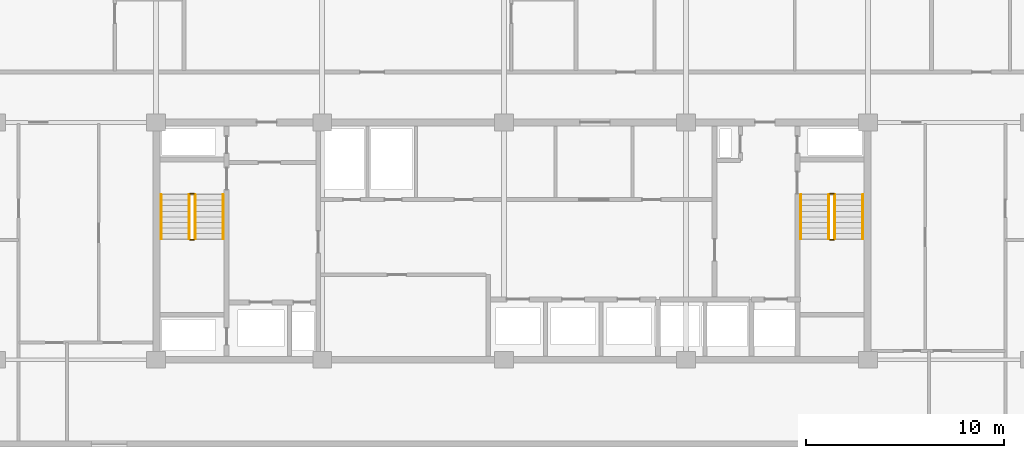
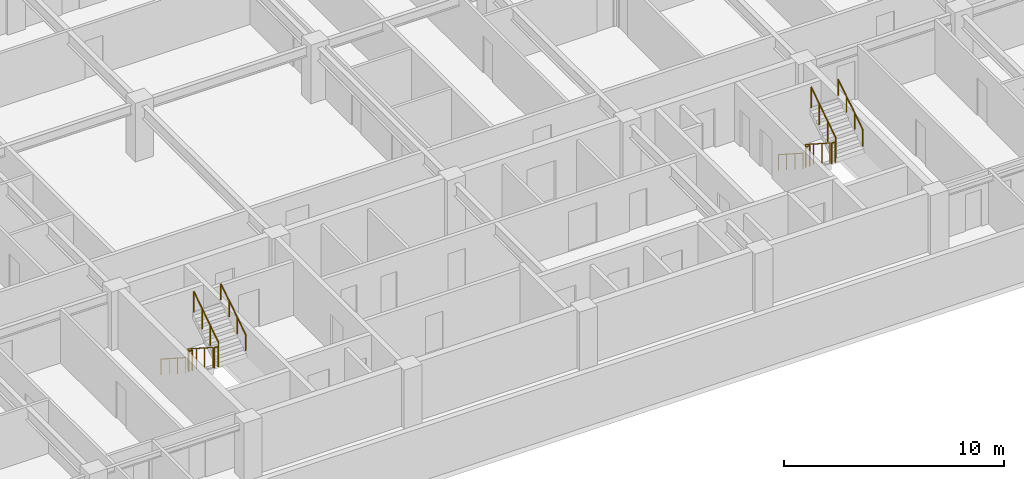
# One storey, part 20 of 21: 12 railings.
"""IFC4 building model written with IfcOpenShell, lengths in metres."""

from ifc_helpers import new_model, si_unit, direction, frame, origin, origin_2d, place, context, subcontext, project, spatial, circle, extrude, material, type_object, element, save


model = new_model("IFC4")

# Units and contexts
model_context = context("Model", 3, precision=1e-05, world=origin(), true_north=direction((0.0, 1.0)))
body_context = subcontext(model_context, "Body", "Model", "MODEL_VIEW")
ifc_project = project(units=[si_unit("LENGTHUNIT", "METRE"), si_unit("AREAUNIT", "SQUARE_METRE"), si_unit("VOLUMEUNIT", "CUBIC_METRE"), si_unit("PLANEANGLEUNIT", "RADIAN"), si_unit("MASSUNIT", "GRAM", prefix="KILO")], contexts=[model_context])

# Site, building, storey
site_placement = place(None, origin())
site = spatial("IfcSite", under=ifc_project, at=site_placement, CompositionType="ELEMENT")
building_placement = place(site_placement, origin())
building = spatial("IfcBuilding", under=site, at=building_placement, Name="Korimba Cascade Residences", CompositionType="ELEMENT")
storey_placement = place(building_placement, frame((0.0, 0.0, 116.550048828125)))
storey = spatial("IfcBuildingStorey", under=building, at=storey_placement, Name="L33", CompositionType="ELEMENT", Elevation=116.550048828125)

# Railings
ifc_material_1 = material(Name="Painted Steel Stairwell Guardrail", Category="steel")
railing_type_1 = type_object("IfcRailingType", Name="RLG-ST-GD1150", PredefinedType="GUARDRAIL", material=ifc_material_1)
railing_1_placement = place(storey_placement, frame((77.77001953125, 63.550048828125, 0.180419921875)))
element("IfcRailing", 1, at=railing_1_placement, inside=storey, type_object=railing_type_1, Name="L33 ST-W1 stair guard 1", PredefinedType="GUARDRAIL", context=body_context, shape_type="SweptSolid", body=[
    extrude(circle(Radius=0.02392578125, at=origin_2d()), frame((0.0, 0.0, 1.1259765625), z_axis=(0.0, -0.840394893359, 0.541974559565), x_axis=(1.0, 0.0, 0.0)), (0.0, 0.0, 1.0), 2.665283203125),
    extrude(circle(Radius=0.02099609375, at=origin_2d()), origin(), (0.0, 0.0, 1.0), 1.101806640625),
    extrude(circle(Radius=0.02099609375, at=origin_2d()), frame((0.0, -0.74658203125, 0.4814453125)), (0.0, 0.0, 1.0), 1.101806640625),
    extrude(circle(Radius=0.02099609375, at=origin_2d()), frame((0.0, -1.493408203125, 0.963134765625)), (0.0, 0.0, 1.0), 1.101806640625),
    extrude(circle(Radius=0.02099609375, at=origin_2d()), frame((0.0, -2.239990234375, 1.444580078125)), (0.0, 0.0, 1.0), 1.101806640625),
])
railing_2_placement = place(storey_placement, frame((77.820068359375, 61.260009765625, 1.625)))
element("IfcRailing", 2, at=railing_2_placement, inside=storey, type_object=railing_type_1, Name="L33 ST-W1 stair guard 2", PredefinedType="GUARDRAIL", context=body_context, shape_type="SweptSolid", body=[
    extrude(circle(Radius=0.02392578125, at=origin_2d()), frame((0.0, 0.0, 1.1259765625), z_axis=(1.0, 0.0, 0.0), x_axis=(0.0, 1.0, 0.0)), (0.0, 0.0, 1.0), 0.199951171875),
    extrude(circle(Radius=0.02099609375, at=origin_2d()), origin(), (0.0, 0.0, 1.0), 1.101806640625),
    extrude(circle(Radius=0.02099609375, at=origin_2d()), frame((0.199951171875, 0.0, 0.0)), (0.0, 0.0, 1.0), 1.101806640625),
])
railing_3_placement = place(storey_placement, frame((78.070068359375, 61.31005859375, 1.805419921875)))
element("IfcRailing", 3, at=railing_3_placement, inside=storey, type_object=railing_type_1, Name="L33 ST-W1 stair guard 3", PredefinedType="GUARDRAIL", context=body_context, shape_type="SweptSolid", body=[
    extrude(circle(Radius=0.02392578125, at=origin_2d()), frame((0.0, 0.0, 1.1259765625), z_axis=(0.0, 0.840394893359, 0.541974559565), x_axis=(-1.0, 0.0, 0.0)), (0.0, 0.0, 1.0), 2.665283203125),
    extrude(circle(Radius=0.02099609375, at=origin_2d()), origin(), (0.0, 0.0, 1.0), 1.101806640625),
    extrude(circle(Radius=0.02099609375, at=origin_2d()), frame((0.0, 0.74658203125, 0.4814453125)), (0.0, 0.0, 1.0), 1.101806640625),
    extrude(circle(Radius=0.02099609375, at=origin_2d()), frame((0.0, 1.493408203125, 0.963134765625)), (0.0, 0.0, 1.0), 1.101806640625),
    extrude(circle(Radius=0.02099609375, at=origin_2d()), frame((0.0, 2.239990234375, 1.444580078125)), (0.0, 0.0, 1.0), 1.101806640625),
])
railing_4_placement = place(storey_placement, frame((77.820068359375, 63.60009765625, 0.0)))
element("IfcRailing", 4, at=railing_4_placement, inside=storey, type_object=railing_type_1, Name="L33 ST-W1 stair guard 4", PredefinedType="GUARDRAIL", context=body_context, shape_type="SweptSolid", body=[
    extrude(circle(Radius=0.02392578125, at=origin_2d()), frame((0.0, 0.0, 1.1259765625), z_axis=(1.0, 0.0, 0.0), x_axis=(0.0, 1.0, 0.0)), (0.0, 0.0, 1.0), 0.199951171875),
    extrude(circle(Radius=0.02099609375, at=origin_2d()), origin(), (0.0, 0.0, 1.0), 1.101806640625),
    extrude(circle(Radius=0.02099609375, at=origin_2d()), frame((0.199951171875, 0.0, 0.0)), (0.0, 0.0, 1.0), 1.101806640625),
])
railing_5_placement = place(storey_placement, frame((110.1298828125, 63.550048828125, 0.180419921875)))
element("IfcRailing", 5, at=railing_5_placement, inside=storey, type_object=railing_type_1, Name="L33 ST-W2 stair guard 1", PredefinedType="GUARDRAIL", context=body_context, shape_type="SweptSolid", body=[
    extrude(circle(Radius=0.02392578125, at=origin_2d()), frame((0.0, 0.0, 1.1259765625), z_axis=(0.0, -0.840394893359, 0.541974559565), x_axis=(1.0, 0.0, 0.0)), (0.0, 0.0, 1.0), 2.665283203125),
    extrude(circle(Radius=0.02099609375, at=origin_2d()), origin(), (0.0, 0.0, 1.0), 1.101806640625),
    extrude(circle(Radius=0.02099609375, at=origin_2d()), frame((0.0, -0.74658203125, 0.4814453125)), (0.0, 0.0, 1.0), 1.101806640625),
    extrude(circle(Radius=0.02099609375, at=origin_2d()), frame((0.0, -1.493408203125, 0.963134765625)), (0.0, 0.0, 1.0), 1.101806640625),
    extrude(circle(Radius=0.02099609375, at=origin_2d()), frame((0.0, -2.239990234375, 1.444580078125)), (0.0, 0.0, 1.0), 1.101806640625),
])
railing_6_placement = place(storey_placement, frame((110.179931640625, 61.260009765625, 1.625)))
element("IfcRailing", 6, at=railing_6_placement, inside=storey, type_object=railing_type_1, Name="L33 ST-W2 stair guard 2", PredefinedType="GUARDRAIL", context=body_context, shape_type="SweptSolid", body=[
    extrude(circle(Radius=0.02392578125, at=origin_2d()), frame((0.0, 0.0, 1.1259765625), z_axis=(1.0, 0.0, 0.0), x_axis=(0.0, 1.0, 0.0)), (0.0, 0.0, 1.0), 0.199951171875),
    extrude(circle(Radius=0.02099609375, at=origin_2d()), origin(), (0.0, 0.0, 1.0), 1.101806640625),
    extrude(circle(Radius=0.02099609375, at=origin_2d()), frame((0.199951171875, 0.0, 0.0)), (0.0, 0.0, 1.0), 1.101806640625),
])
railing_7_placement = place(storey_placement, frame((110.429931640625, 61.31005859375, 1.805419921875)))
element("IfcRailing", 7, at=railing_7_placement, inside=storey, type_object=railing_type_1, Name="L33 ST-W2 stair guard 3", PredefinedType="GUARDRAIL", context=body_context, shape_type="SweptSolid", body=[
    extrude(circle(Radius=0.02392578125, at=origin_2d()), frame((0.0, 0.0, 1.1259765625), z_axis=(0.0, 0.840394893359, 0.541974559565), x_axis=(-1.0, 0.0, 0.0)), (0.0, 0.0, 1.0), 2.665283203125),
    extrude(circle(Radius=0.02099609375, at=origin_2d()), origin(), (0.0, 0.0, 1.0), 1.101806640625),
    extrude(circle(Radius=0.02099609375, at=origin_2d()), frame((0.0, 0.74658203125, 0.4814453125)), (0.0, 0.0, 1.0), 1.101806640625),
    extrude(circle(Radius=0.02099609375, at=origin_2d()), frame((0.0, 1.493408203125, 0.963134765625)), (0.0, 0.0, 1.0), 1.101806640625),
    extrude(circle(Radius=0.02099609375, at=origin_2d()), frame((0.0, 2.239990234375, 1.444580078125)), (0.0, 0.0, 1.0), 1.101806640625),
])
railing_8_placement = place(storey_placement, frame((110.179931640625, 63.60009765625, 0.0)))
element("IfcRailing", 8, at=railing_8_placement, inside=storey, type_object=railing_type_1, Name="L33 ST-W2 stair guard 4", PredefinedType="GUARDRAIL", context=body_context, shape_type="SweptSolid", body=[
    extrude(circle(Radius=0.02392578125, at=origin_2d()), frame((0.0, 0.0, 1.1259765625), z_axis=(1.0, 0.0, 0.0), x_axis=(0.0, 1.0, 0.0)), (0.0, 0.0, 1.0), 0.199951171875),
    extrude(circle(Radius=0.02099609375, at=origin_2d()), origin(), (0.0, 0.0, 1.0), 1.101806640625),
    extrude(circle(Radius=0.02099609375, at=origin_2d()), frame((0.199951171875, 0.0, 0.0)), (0.0, 0.0, 1.0), 1.101806640625),
])
ifc_material_2 = material(Name="Brushed Stainless Steel Handrail", Category="steel")
railing_type_2 = type_object("IfcRailingType", Name="RLG-ST-HR900", PredefinedType="HANDRAIL", material=ifc_material_2)
railing_9_placement = place(storey_placement, frame((76.35009765625, 63.550048828125, 0.364990234375)))
element("IfcRailing", 9, at=railing_9_placement, inside=storey, type_object=railing_type_2, Name="L33 ST-W1 stair handrail 1", PredefinedType="HANDRAIL", context=body_context, shape_type="SweptSolid", body=[
    extrude(circle(Radius=0.02392578125, at=origin_2d()), frame((0.0, 0.0, 0.8759765625), z_axis=(0.0, -0.840436612492, 0.541909863706), x_axis=(1.0, 0.0, 0.0)), (0.0, 0.0, 1.0), 2.665283203125),
    extrude(circle(Radius=0.02099609375, at=origin_2d()), origin(), (0.0, 0.0, 1.0), 0.851806640625),
    extrude(circle(Radius=0.02099609375, at=origin_2d()), frame((0.0, -0.74658203125, 0.4814453125)), (0.0, 0.0, 1.0), 0.851806640625),
    extrude(circle(Radius=0.02099609375, at=origin_2d()), frame((0.0, -1.493408203125, 0.962890625)), (0.0, 0.0, 1.0), 0.851806640625),
    extrude(circle(Radius=0.02099609375, at=origin_2d()), frame((0.0, -2.239990234375, 1.4443359375)), (0.0, 0.0, 1.0), 0.851806640625),
])
railing_10_placement = place(storey_placement, frame((79.489990234375, 61.31005859375, 1.989990234375)))
element("IfcRailing", 10, at=railing_10_placement, inside=storey, type_object=railing_type_2, Name="L33 ST-W1 stair handrail 2", PredefinedType="HANDRAIL", context=body_context, shape_type="SweptSolid", body=[
    extrude(circle(Radius=0.02392578125, at=origin_2d()), frame((0.0, 0.0, 0.8759765625), z_axis=(0.0, 0.840436612492, 0.541909863706), x_axis=(-1.0, 0.0, 0.0)), (0.0, 0.0, 1.0), 2.665283203125),
    extrude(circle(Radius=0.02099609375, at=origin_2d()), origin(), (0.0, 0.0, 1.0), 0.851806640625),
    extrude(circle(Radius=0.02099609375, at=origin_2d()), frame((0.0, 0.74658203125, 0.4814453125)), (0.0, 0.0, 1.0), 0.851806640625),
    extrude(circle(Radius=0.02099609375, at=origin_2d()), frame((0.0, 1.493408203125, 0.962890625)), (0.0, 0.0, 1.0), 0.851806640625),
    extrude(circle(Radius=0.02099609375, at=origin_2d()), frame((0.0, 2.239990234375, 1.4443359375)), (0.0, 0.0, 1.0), 0.851806640625),
])
railing_11_placement = place(storey_placement, frame((108.7099609375, 63.550048828125, 0.364990234375)))
element("IfcRailing", 11, at=railing_11_placement, inside=storey, type_object=railing_type_2, Name="L33 ST-W2 stair handrail 1", PredefinedType="HANDRAIL", context=body_context, shape_type="SweptSolid", body=[
    extrude(circle(Radius=0.02392578125, at=origin_2d()), frame((0.0, 0.0, 0.8759765625), z_axis=(0.0, -0.840436612492, 0.541909863706), x_axis=(1.0, 0.0, 0.0)), (0.0, 0.0, 1.0), 2.665283203125),
    extrude(circle(Radius=0.02099609375, at=origin_2d()), origin(), (0.0, 0.0, 1.0), 0.851806640625),
    extrude(circle(Radius=0.02099609375, at=origin_2d()), frame((0.0, -0.74658203125, 0.4814453125)), (0.0, 0.0, 1.0), 0.851806640625),
    extrude(circle(Radius=0.02099609375, at=origin_2d()), frame((0.0, -1.493408203125, 0.962890625)), (0.0, 0.0, 1.0), 0.851806640625),
    extrude(circle(Radius=0.02099609375, at=origin_2d()), frame((0.0, -2.239990234375, 1.4443359375)), (0.0, 0.0, 1.0), 0.851806640625),
])
railing_12_placement = place(storey_placement, frame((111.85009765625, 61.31005859375, 1.989990234375)))
element("IfcRailing", 12, at=railing_12_placement, inside=storey, type_object=railing_type_2, Name="L33 ST-W2 stair handrail 2", PredefinedType="HANDRAIL", context=body_context, shape_type="SweptSolid", body=[
    extrude(circle(Radius=0.02392578125, at=origin_2d()), frame((0.0, 0.0, 0.8759765625), z_axis=(0.0, 0.840436612492, 0.541909863706), x_axis=(-1.0, 0.0, 0.0)), (0.0, 0.0, 1.0), 2.665283203125),
    extrude(circle(Radius=0.02099609375, at=origin_2d()), origin(), (0.0, 0.0, 1.0), 0.851806640625),
    extrude(circle(Radius=0.02099609375, at=origin_2d()), frame((0.0, 0.74658203125, 0.4814453125)), (0.0, 0.0, 1.0), 0.851806640625),
    extrude(circle(Radius=0.02099609375, at=origin_2d()), frame((0.0, 1.493408203125, 0.962890625)), (0.0, 0.0, 1.0), 0.851806640625),
    extrude(circle(Radius=0.02099609375, at=origin_2d()), frame((0.0, 2.239990234375, 1.4443359375)), (0.0, 0.0, 1.0), 0.851806640625),
])

save(model, "model.ifc")
